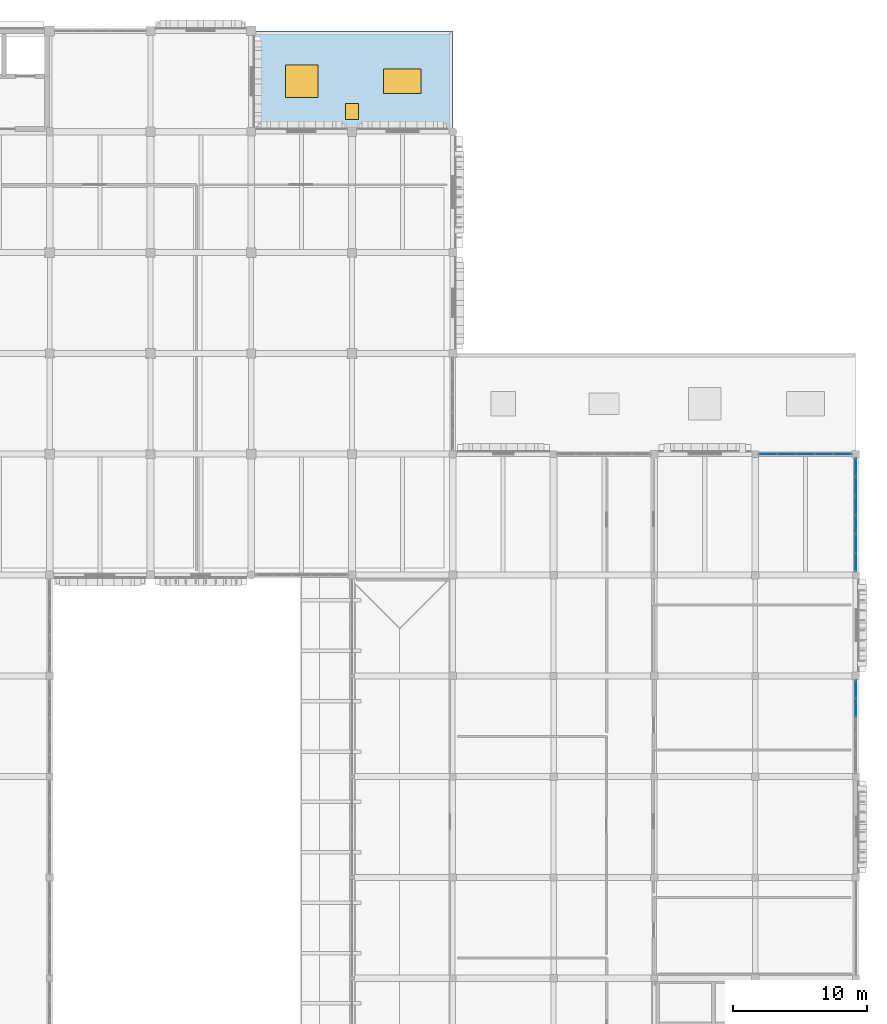
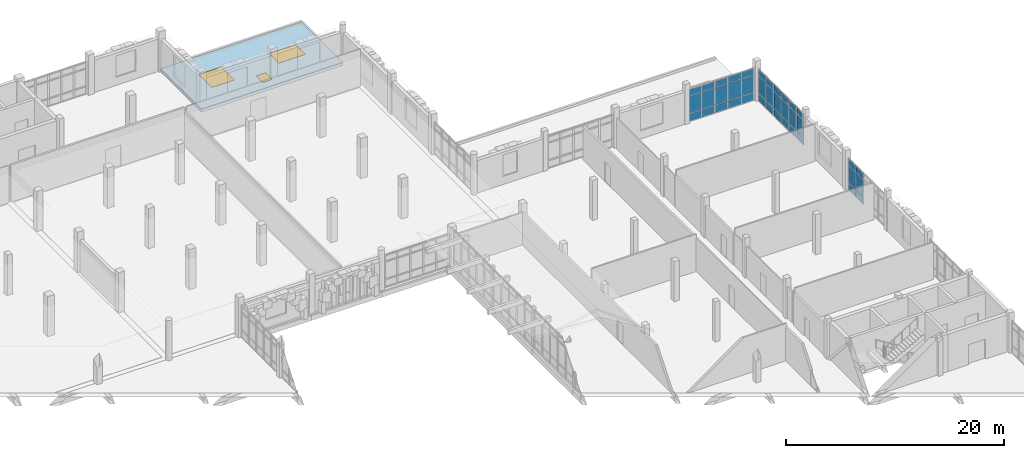
# One storey, part 91 of 128: 39 plates, 2 windows, 1 door, 1 slab, 3 openings, 3 elements without a shape of their own.
"""IFC4 building model written with IfcOpenShell, lengths in metres."""

from ifc_helpers import new_model, si_unit, direction, frame, origin, origin_2d, place, context, subcontext, project, spatial, polyline, rectangle, outline, extrude, material, layer, layer_set, type_object, element, fill, aggregate, save


model = new_model("IFC4")

# Units and contexts
model_context = context("Model", 3, precision=1e-05, world=origin(), true_north=direction((0.0, 1.0)))
body_context = subcontext(model_context, "Body", "Model", "MODEL_VIEW")
ifc_project = project(units=[si_unit("LENGTHUNIT", "METRE"), si_unit("AREAUNIT", "SQUARE_METRE"), si_unit("VOLUMEUNIT", "CUBIC_METRE"), si_unit("PLANEANGLEUNIT", "RADIAN"), si_unit("MASSUNIT", "GRAM", prefix="KILO")], contexts=[model_context])

# Site, building, storey
site_placement = place(None, origin())
site = spatial("IfcSite", under=ifc_project, at=site_placement, CompositionType="ELEMENT")
building_placement = place(site_placement, origin())
building = spatial("IfcBuilding", under=site, at=building_placement, Name="Dalvernix Boulevard General Hospital", CompositionType="ELEMENT")
storey_placement = place(building_placement, frame((0.0, 0.0, 4.800048828125)))
storey = spatial("IfcBuildingStorey", under=building, at=storey_placement, Name="L01", CompositionType="ELEMENT", Elevation=4.800048828125)

# Curtain wall, plates
ifc_material_1 = material(Name="Thermally broken aluminium and solar-control glass curtain wall", Category="aluminium")
ifc_layer_1 = layer(ifc_material_1, 0.179931640625)
ifc_layer_set_1 = layer_set([ifc_layer_1], Name="Thermally broken aluminium and solar-control glass curtain wall (CW-CW-B-70x36)")
curtain_wall_type_1 = type_object("IfcCurtainWallType", Name="CW-CW-B-70x36", PredefinedType="USERDEFINED", material=ifc_layer_set_1)
curtain_wall_1_placement = place(storey_placement, origin())
curtain_wall_1 = element("IfcCurtainWall", 1, at=curtain_wall_1_placement, inside=storey, type_object=curtain_wall_type_1, Name="L01 curtain wall CW-B-70x36 22-11", ObjectType="GLAZED FACADE", PredefinedType="USERDEFINED")
ifc_material_2 = material(Name="Double-glazed solar-control low-emissivity glass", Category="glass")
ifc_layer_2 = layer(ifc_material_2, 0.028076171875)
ifc_layer_set_2 = layer_set([ifc_layer_2], Name="Double-glazed solar-control low-emissivity glass (PLT-CW-P2)")
plate_type_1 = type_object("IfcPlateType", Name="PLT-CW-P2", PredefinedType="CURTAIN_PANEL", material=ifc_layer_set_2)
plate_1_placement = place(storey_placement, frame((165.9716796875, 85.5, 0.06494140625), z_axis=(0.0, 0.0, 1.0), x_axis=(1.0, 0.0, 0.0)))
plate_1 = element("IfcPlate", 2, at=plate_1_placement, type_object=plate_type_1, Name="CW-B-70x36 panel 1.1", PredefinedType="CURTAIN_PANEL", context=body_context, shape_type="SweptSolid", body=[
    extrude(rectangle(XDim=1.29345703125, YDim=0.028076171875, at=origin_2d()), origin(), (0.0, 0.0, 1.0), 0.802490234375),
])
plate_2_placement = place(storey_placement, frame((165.9716796875, 85.5, 0.932373046875), z_axis=(0.0, 0.0, 1.0), x_axis=(1.0, 0.0, 0.0)))
plate_2 = element("IfcPlate", 3, at=plate_2_placement, type_object=plate_type_1, Name="CW-B-70x36 panel 1.2", PredefinedType="CURTAIN_PANEL", context=body_context, shape_type="SweptSolid", body=[
    extrude(rectangle(XDim=1.29345703125, YDim=0.028076171875, at=origin_2d()), origin(), (0.0, 0.0, 1.0), 1.9150390625),
])
plate_3_placement = place(storey_placement, frame((165.9716796875, 85.5, 2.91259765625), z_axis=(0.0, 0.0, 1.0), x_axis=(1.0, 0.0, 0.0)))
plate_3 = element("IfcPlate", 4, at=plate_3_placement, type_object=plate_type_1, Name="CW-B-70x36 panel 1.3", PredefinedType="CURTAIN_PANEL", context=body_context, shape_type="SweptSolid", body=[
    extrude(rectangle(XDim=1.29345703125, YDim=0.028076171875, at=origin_2d()), origin(), (0.0, 0.0, 1.0), 0.652587890625),
])
plate_4_placement = place(storey_placement, frame((167.346435546875, 85.5, 0.06494140625), z_axis=(0.0, 0.0, 1.0), x_axis=(1.0, 0.0, 0.0)))
plate_4 = element("IfcPlate", 5, at=plate_4_placement, type_object=plate_type_1, Name="CW-B-70x36 panel 2.1", PredefinedType="CURTAIN_PANEL", context=body_context, shape_type="SweptSolid", body=[
    extrude(rectangle(XDim=1.325927734375, YDim=0.028076171875, at=origin_2d()), origin(), (0.0, 0.0, 1.0), 0.802490234375),
])
plate_5_placement = place(storey_placement, frame((167.346435546875, 85.5, 0.932373046875), z_axis=(0.0, 0.0, 1.0), x_axis=(1.0, 0.0, 0.0)))
plate_5 = element("IfcPlate", 6, at=plate_5_placement, type_object=plate_type_1, Name="CW-B-70x36 panel 2.2", PredefinedType="CURTAIN_PANEL", context=body_context, shape_type="SweptSolid", body=[
    extrude(rectangle(XDim=1.325927734375, YDim=0.028076171875, at=origin_2d()), origin(), (0.0, 0.0, 1.0), 1.9150390625),
])
plate_6_placement = place(storey_placement, frame((167.346435546875, 85.5, 2.91259765625), z_axis=(0.0, 0.0, 1.0), x_axis=(1.0, 0.0, 0.0)))
plate_6 = element("IfcPlate", 7, at=plate_6_placement, type_object=plate_type_1, Name="CW-B-70x36 panel 2.3", PredefinedType="CURTAIN_PANEL", context=body_context, shape_type="SweptSolid", body=[
    extrude(rectangle(XDim=1.325927734375, YDim=0.028076171875, at=origin_2d()), origin(), (0.0, 0.0, 1.0), 0.652587890625),
])
plate_7_placement = place(storey_placement, frame((168.737548828125, 85.5, 0.06494140625), z_axis=(0.0, 0.0, 1.0), x_axis=(1.0, 0.0, 0.0)))
plate_7 = element("IfcPlate", 8, at=plate_7_placement, type_object=plate_type_1, Name="CW-B-70x36 panel 3.1", PredefinedType="CURTAIN_PANEL", context=body_context, shape_type="SweptSolid", body=[
    extrude(rectangle(XDim=1.325927734375, YDim=0.028076171875, at=origin_2d()), origin(), (0.0, 0.0, 1.0), 0.802490234375),
])
plate_8_placement = place(storey_placement, frame((168.737548828125, 85.5, 0.932373046875), z_axis=(0.0, 0.0, 1.0), x_axis=(1.0, 0.0, 0.0)))
plate_8 = element("IfcPlate", 9, at=plate_8_placement, type_object=plate_type_1, Name="CW-B-70x36 panel 3.2", PredefinedType="CURTAIN_PANEL", context=body_context, shape_type="SweptSolid", body=[
    extrude(rectangle(XDim=1.325927734375, YDim=0.028076171875, at=origin_2d()), origin(), (0.0, 0.0, 1.0), 1.9150390625),
])
plate_9_placement = place(storey_placement, frame((168.737548828125, 85.5, 2.91259765625), z_axis=(0.0, 0.0, 1.0), x_axis=(1.0, 0.0, 0.0)))
plate_9 = element("IfcPlate", 10, at=plate_9_placement, type_object=plate_type_1, Name="CW-B-70x36 panel 3.3", PredefinedType="CURTAIN_PANEL", context=body_context, shape_type="SweptSolid", body=[
    extrude(rectangle(XDim=1.325927734375, YDim=0.028076171875, at=origin_2d()), origin(), (0.0, 0.0, 1.0), 0.652587890625),
])
plate_10_placement = place(storey_placement, frame((170.12841796875, 85.5, 0.06494140625), z_axis=(0.0, 0.0, 1.0), x_axis=(1.0, 0.0, 0.0)))
plate_10 = element("IfcPlate", 11, at=plate_10_placement, type_object=plate_type_1, Name="CW-B-70x36 panel 4.1", PredefinedType="CURTAIN_PANEL", context=body_context, shape_type="SweptSolid", body=[
    extrude(rectangle(XDim=1.325927734375, YDim=0.028076171875, at=origin_2d()), origin(), (0.0, 0.0, 1.0), 0.802490234375),
])
plate_11_placement = place(storey_placement, frame((170.12841796875, 85.5, 0.932373046875), z_axis=(0.0, 0.0, 1.0), x_axis=(1.0, 0.0, 0.0)))
plate_11 = element("IfcPlate", 12, at=plate_11_placement, type_object=plate_type_1, Name="CW-B-70x36 panel 4.2", PredefinedType="CURTAIN_PANEL", context=body_context, shape_type="SweptSolid", body=[
    extrude(rectangle(XDim=1.325927734375, YDim=0.028076171875, at=origin_2d()), origin(), (0.0, 0.0, 1.0), 1.9150390625),
])
plate_12_placement = place(storey_placement, frame((170.12841796875, 85.5, 2.91259765625), z_axis=(0.0, 0.0, 1.0), x_axis=(1.0, 0.0, 0.0)))
plate_12 = element("IfcPlate", 13, at=plate_12_placement, type_object=plate_type_1, Name="CW-B-70x36 panel 4.3", PredefinedType="CURTAIN_PANEL", context=body_context, shape_type="SweptSolid", body=[
    extrude(rectangle(XDim=1.325927734375, YDim=0.028076171875, at=origin_2d()), origin(), (0.0, 0.0, 1.0), 0.652587890625),
])
plate_13_placement = place(storey_placement, frame((171.503173828125, 85.5, 0.06494140625), z_axis=(0.0, 0.0, 1.0), x_axis=(1.0, 0.0, 0.0)))
plate_13 = element("IfcPlate", 14, at=plate_13_placement, type_object=plate_type_1, Name="CW-B-70x36 panel 5.1", PredefinedType="CURTAIN_PANEL", context=body_context, shape_type="SweptSolid", body=[
    extrude(rectangle(XDim=1.29345703125, YDim=0.028076171875, at=origin_2d()), origin(), (0.0, 0.0, 1.0), 0.802490234375),
])
plate_14_placement = place(storey_placement, frame((171.503173828125, 85.5, 0.932373046875), z_axis=(0.0, 0.0, 1.0), x_axis=(1.0, 0.0, 0.0)))
plate_14 = element("IfcPlate", 15, at=plate_14_placement, type_object=plate_type_1, Name="CW-B-70x36 panel 5.2", PredefinedType="CURTAIN_PANEL", context=body_context, shape_type="SweptSolid", body=[
    extrude(rectangle(XDim=1.29345703125, YDim=0.028076171875, at=origin_2d()), origin(), (0.0, 0.0, 1.0), 1.9150390625),
])
plate_15_placement = place(storey_placement, frame((171.503173828125, 85.5, 2.91259765625), z_axis=(0.0, 0.0, 1.0), x_axis=(1.0, 0.0, 0.0)))
plate_15 = element("IfcPlate", 16, at=plate_15_placement, type_object=plate_type_1, Name="CW-B-70x36 panel 5.3", PredefinedType="CURTAIN_PANEL", context=body_context, shape_type="SweptSolid", body=[
    extrude(rectangle(XDim=1.29345703125, YDim=0.028076171875, at=origin_2d()), origin(), (0.0, 0.0, 1.0), 0.652587890625),
])
aggregate(curtain_wall_1, [plate_1, plate_2, plate_3, plate_4, plate_5, plate_6, plate_7, plate_8, plate_9, plate_10, plate_11, plate_12, plate_13, plate_14, plate_15])

ifc_layer_3 = layer(ifc_material_1, 0.179931640625)
ifc_layer_set_3 = layer_set([ifc_layer_3], Name="Thermally broken aluminium and solar-control glass curtain wall (CW-CW-B-85x36)")
curtain_wall_type_2 = type_object("IfcCurtainWallType", Name="CW-CW-B-85x36", PredefinedType="USERDEFINED", material=ifc_layer_set_3)
curtain_wall_2_placement = place(storey_placement, origin())
curtain_wall_2 = element("IfcCurtainWall", 17, at=curtain_wall_2_placement, inside=storey, type_object=curtain_wall_type_2, Name="L01 curtain wall CW-B-85x36 23-10", ObjectType="GLAZED FACADE", PredefinedType="USERDEFINED")
plate_16_placement = place(storey_placement, frame((172.5, 84.494140625, 0.06494140625), z_axis=(0.0, 0.0, 1.0), x_axis=(0.0, -1.0, 0.0)))
plate_16 = element("IfcPlate", 18, at=plate_16_placement, type_object=plate_type_1, Name="CW-B-85x36 panel 1.1", PredefinedType="CURTAIN_PANEL", context=body_context, shape_type="SweptSolid", body=[
    extrude(rectangle(XDim=1.311767578125, YDim=0.028076171875, at=origin_2d()), origin(), (0.0, 0.0, 1.0), 0.802490234375),
])
plate_17_placement = place(storey_placement, frame((172.5, 84.494140625, 0.932373046875), z_axis=(0.0, 0.0, 1.0), x_axis=(0.0, -1.0, 0.0)))
plate_17 = element("IfcPlate", 19, at=plate_17_placement, type_object=plate_type_1, Name="CW-B-85x36 panel 1.2", PredefinedType="CURTAIN_PANEL", context=body_context, shape_type="SweptSolid", body=[
    extrude(rectangle(XDim=1.311767578125, YDim=0.028076171875, at=origin_2d()), origin(), (0.0, 0.0, 1.0), 1.9150390625),
])
plate_18_placement = place(storey_placement, frame((172.5, 84.494140625, 2.91259765625), z_axis=(0.0, 0.0, 1.0), x_axis=(0.0, -1.0, 0.0)))
plate_18 = element("IfcPlate", 20, at=plate_18_placement, type_object=plate_type_1, Name="CW-B-85x36 panel 1.3", PredefinedType="CURTAIN_PANEL", context=body_context, shape_type="SweptSolid", body=[
    extrude(rectangle(XDim=1.311767578125, YDim=0.028076171875, at=origin_2d()), origin(), (0.0, 0.0, 1.0), 0.652587890625),
])
plate_19_placement = place(storey_placement, frame((172.5, 83.101318359375, 0.06494140625), z_axis=(0.0, 0.0, 1.0), x_axis=(0.0, -1.0, 0.0)))
plate_19 = element("IfcPlate", 21, at=plate_19_placement, type_object=plate_type_1, Name="CW-B-85x36 panel 2.1", PredefinedType="CURTAIN_PANEL", context=body_context, shape_type="SweptSolid", body=[
    extrude(rectangle(XDim=1.34423828125, YDim=0.028076171875, at=origin_2d()), origin(), (0.0, 0.0, 1.0), 0.802490234375),
])
plate_20_placement = place(storey_placement, frame((172.5, 83.101318359375, 0.932373046875), z_axis=(0.0, 0.0, 1.0), x_axis=(0.0, -1.0, 0.0)))
plate_20 = element("IfcPlate", 22, at=plate_20_placement, type_object=plate_type_1, Name="CW-B-85x36 panel 2.2", PredefinedType="CURTAIN_PANEL", context=body_context, shape_type="SweptSolid", body=[
    extrude(rectangle(XDim=1.34423828125, YDim=0.028076171875, at=origin_2d()), origin(), (0.0, 0.0, 1.0), 1.9150390625),
])
plate_21_placement = place(storey_placement, frame((172.5, 83.101318359375, 2.91259765625), z_axis=(0.0, 0.0, 1.0), x_axis=(0.0, -1.0, 0.0)))
plate_21 = element("IfcPlate", 23, at=plate_21_placement, type_object=plate_type_1, Name="CW-B-85x36 panel 2.3", PredefinedType="CURTAIN_PANEL", context=body_context, shape_type="SweptSolid", body=[
    extrude(rectangle(XDim=1.34423828125, YDim=0.028076171875, at=origin_2d()), origin(), (0.0, 0.0, 1.0), 0.652587890625),
])
plate_22_placement = place(storey_placement, frame((172.5, 81.692138671875, 0.06494140625), z_axis=(0.0, 0.0, 1.0), x_axis=(0.0, -1.0, 0.0)))
plate_22 = element("IfcPlate", 24, at=plate_22_placement, type_object=plate_type_1, Name="CW-B-85x36 panel 3.1", PredefinedType="CURTAIN_PANEL", context=body_context, shape_type="SweptSolid", body=[
    extrude(rectangle(XDim=1.34423828125, YDim=0.028076171875, at=origin_2d()), origin(), (0.0, 0.0, 1.0), 0.802490234375),
])
plate_23_placement = place(storey_placement, frame((172.5, 81.692138671875, 0.932373046875), z_axis=(0.0, 0.0, 1.0), x_axis=(0.0, -1.0, 0.0)))
plate_23 = element("IfcPlate", 25, at=plate_23_placement, type_object=plate_type_1, Name="CW-B-85x36 panel 3.2", PredefinedType="CURTAIN_PANEL", context=body_context, shape_type="SweptSolid", body=[
    extrude(rectangle(XDim=1.34423828125, YDim=0.028076171875, at=origin_2d()), origin(), (0.0, 0.0, 1.0), 1.9150390625),
])
plate_24_placement = place(storey_placement, frame((172.5, 81.692138671875, 2.91259765625), z_axis=(0.0, 0.0, 1.0), x_axis=(0.0, -1.0, 0.0)))
plate_24 = element("IfcPlate", 26, at=plate_24_placement, type_object=plate_type_1, Name="CW-B-85x36 panel 3.3", PredefinedType="CURTAIN_PANEL", context=body_context, shape_type="SweptSolid", body=[
    extrude(rectangle(XDim=1.34423828125, YDim=0.028076171875, at=origin_2d()), origin(), (0.0, 0.0, 1.0), 0.652587890625),
])
plate_25_placement = place(storey_placement, frame((172.5, 80.282958984375, 0.06494140625), z_axis=(0.0, 0.0, 1.0), x_axis=(0.0, -1.0, 0.0)))
plate_25 = element("IfcPlate", 27, at=plate_25_placement, type_object=plate_type_1, Name="CW-B-85x36 panel 4.1", PredefinedType="CURTAIN_PANEL", context=body_context, shape_type="SweptSolid", body=[
    extrude(rectangle(XDim=1.34423828125, YDim=0.028076171875, at=origin_2d()), origin(), (0.0, 0.0, 1.0), 0.802490234375),
])
plate_26_placement = place(storey_placement, frame((172.5, 80.282958984375, 0.932373046875), z_axis=(0.0, 0.0, 1.0), x_axis=(0.0, -1.0, 0.0)))
plate_26 = element("IfcPlate", 28, at=plate_26_placement, type_object=plate_type_1, Name="CW-B-85x36 panel 4.2", PredefinedType="CURTAIN_PANEL", context=body_context, shape_type="SweptSolid", body=[
    extrude(rectangle(XDim=1.34423828125, YDim=0.028076171875, at=origin_2d()), origin(), (0.0, 0.0, 1.0), 1.9150390625),
])
plate_27_placement = place(storey_placement, frame((172.5, 80.282958984375, 2.91259765625), z_axis=(0.0, 0.0, 1.0), x_axis=(0.0, -1.0, 0.0)))
plate_27 = element("IfcPlate", 29, at=plate_27_placement, type_object=plate_type_1, Name="CW-B-85x36 panel 4.3", PredefinedType="CURTAIN_PANEL", context=body_context, shape_type="SweptSolid", body=[
    extrude(rectangle(XDim=1.34423828125, YDim=0.028076171875, at=origin_2d()), origin(), (0.0, 0.0, 1.0), 0.652587890625),
])
plate_28_placement = place(storey_placement, frame((172.5, 78.873779296875, 0.06494140625), z_axis=(0.0, 0.0, 1.0), x_axis=(0.0, -1.0, 0.0)))
plate_28 = element("IfcPlate", 30, at=plate_28_placement, type_object=plate_type_1, Name="CW-B-85x36 panel 5.1", PredefinedType="CURTAIN_PANEL", context=body_context, shape_type="SweptSolid", body=[
    extrude(rectangle(XDim=1.34423828125, YDim=0.028076171875, at=origin_2d()), origin(), (0.0, 0.0, 1.0), 0.802490234375),
])
plate_29_placement = place(storey_placement, frame((172.5, 78.873779296875, 0.932373046875), z_axis=(0.0, 0.0, 1.0), x_axis=(0.0, -1.0, 0.0)))
plate_29 = element("IfcPlate", 31, at=plate_29_placement, type_object=plate_type_1, Name="CW-B-85x36 panel 5.2", PredefinedType="CURTAIN_PANEL", context=body_context, shape_type="SweptSolid", body=[
    extrude(rectangle(XDim=1.34423828125, YDim=0.028076171875, at=origin_2d()), origin(), (0.0, 0.0, 1.0), 1.9150390625),
])
plate_30_placement = place(storey_placement, frame((172.5, 78.873779296875, 2.91259765625), z_axis=(0.0, 0.0, 1.0), x_axis=(0.0, -1.0, 0.0)))
plate_30 = element("IfcPlate", 32, at=plate_30_placement, type_object=plate_type_1, Name="CW-B-85x36 panel 5.3", PredefinedType="CURTAIN_PANEL", context=body_context, shape_type="SweptSolid", body=[
    extrude(rectangle(XDim=1.34423828125, YDim=0.028076171875, at=origin_2d()), origin(), (0.0, 0.0, 1.0), 0.652587890625),
])
plate_31_placement = place(storey_placement, frame((172.5, 77.480712890625, 0.06494140625), z_axis=(0.0, 0.0, 1.0), x_axis=(0.0, -1.0, 0.0)))
plate_31 = element("IfcPlate", 33, at=plate_31_placement, type_object=plate_type_1, Name="CW-B-85x36 panel 6.1", PredefinedType="CURTAIN_PANEL", context=body_context, shape_type="SweptSolid", body=[
    extrude(rectangle(XDim=1.311767578125, YDim=0.028076171875, at=origin_2d()), origin(), (0.0, 0.0, 1.0), 0.802490234375),
])
plate_32_placement = place(storey_placement, frame((172.5, 77.480712890625, 0.932373046875), z_axis=(0.0, 0.0, 1.0), x_axis=(0.0, -1.0, 0.0)))
plate_32 = element("IfcPlate", 34, at=plate_32_placement, type_object=plate_type_1, Name="CW-B-85x36 panel 6.2", PredefinedType="CURTAIN_PANEL", context=body_context, shape_type="SweptSolid", body=[
    extrude(rectangle(XDim=1.311767578125, YDim=0.028076171875, at=origin_2d()), origin(), (0.0, 0.0, 1.0), 1.9150390625),
])
plate_33_placement = place(storey_placement, frame((172.5, 77.480712890625, 2.91259765625), z_axis=(0.0, 0.0, 1.0), x_axis=(0.0, -1.0, 0.0)))
plate_33 = element("IfcPlate", 35, at=plate_33_placement, type_object=plate_type_1, Name="CW-B-85x36 panel 6.3", PredefinedType="CURTAIN_PANEL", context=body_context, shape_type="SweptSolid", body=[
    extrude(rectangle(XDim=1.311767578125, YDim=0.028076171875, at=origin_2d()), origin(), (0.0, 0.0, 1.0), 0.652587890625),
])
aggregate(curtain_wall_2, [plate_16, plate_17, plate_18, plate_19, plate_20, plate_21, plate_22, plate_23, plate_24, plate_25, plate_26, plate_27, plate_28, plate_29, plate_30, plate_31, plate_32, plate_33])

ifc_layer_4 = layer(ifc_material_1, 0.199951171875)
ifc_layer_set_4 = layer_set([ifc_layer_4], Name="Thermally broken aluminium and solar-control glass curtain wall (CW-CW-C-70x36)")
curtain_wall_type_3 = type_object("IfcCurtainWallType", Name="CW-CW-C-70x36", PredefinedType="USERDEFINED", material=ifc_layer_set_4)
curtain_wall_3_placement = place(storey_placement, origin())
curtain_wall_3 = element("IfcCurtainWall", 36, at=curtain_wall_3_placement, inside=storey, type_object=curtain_wall_type_3, Name="L01 curtain wall CW-C-70x36 23-8", ObjectType="GLAZED FACADE", PredefinedType="USERDEFINED")
ifc_layer_5 = layer(ifc_material_2, 0.035888671875)
ifc_layer_set_5 = layer_set([ifc_layer_5], Name="Double-glazed solar-control low-emissivity glass (PLT-CW-P3)")
plate_type_2 = type_object("IfcPlateType", Name="PLT-CW-P3", PredefinedType="CURTAIN_PANEL", material=ifc_layer_set_5)
plate_34_placement = place(storey_placement, frame((172.5, 68.001953125, 0.070068359375), z_axis=(0.0, 0.0, 1.0), x_axis=(0.0, -1.0, 0.0)))
plate_34 = element("IfcPlate", 37, at=plate_34_placement, type_object=plate_type_2, Name="CW-C-70x36 panel 1.1", PredefinedType="CURTAIN_PANEL", context=body_context, shape_type="SweptSolid", body=[
    extrude(rectangle(XDim=1.285888671875, YDim=0.035888671875, at=origin_2d()), origin(), (0.0, 0.0, 1.0), 0.794921875),
])
plate_35_placement = place(storey_placement, frame((172.5, 68.001953125, 0.93505859375), z_axis=(0.0, 0.0, 1.0), x_axis=(0.0, -1.0, 0.0)))
plate_35 = element("IfcPlate", 38, at=plate_35_placement, type_object=plate_type_2, Name="CW-C-70x36 panel 1.2", PredefinedType="CURTAIN_PANEL", context=body_context, shape_type="SweptSolid", body=[
    extrude(rectangle(XDim=1.285888671875, YDim=0.035888671875, at=origin_2d()), origin(), (0.0, 0.0, 1.0), 1.909912109375),
])
plate_36_placement = place(storey_placement, frame((172.5, 68.001953125, 2.9150390625), z_axis=(0.0, 0.0, 1.0), x_axis=(0.0, -1.0, 0.0)))
plate_36 = element("IfcPlate", 39, at=plate_36_placement, type_object=plate_type_2, Name="CW-C-70x36 panel 1.3", PredefinedType="CURTAIN_PANEL", context=body_context, shape_type="SweptSolid", body=[
    extrude(rectangle(XDim=1.285888671875, YDim=0.035888671875, at=origin_2d()), origin(), (0.0, 0.0, 1.0), 0.64501953125),
])
plate_37_placement = place(storey_placement, frame((172.5, 66.62841796875, 0.070068359375), z_axis=(0.0, 0.0, 1.0), x_axis=(0.0, -1.0, 0.0)))
plate_37 = element("IfcPlate", 40, at=plate_37_placement, type_object=plate_type_2, Name="CW-C-70x36 panel 2.1", PredefinedType="CURTAIN_PANEL", context=body_context, shape_type="SweptSolid", body=[
    extrude(rectangle(XDim=1.321044921875, YDim=0.035888671875, at=origin_2d()), origin(), (0.0, 0.0, 1.0), 0.794921875),
])
plate_38_placement = place(storey_placement, frame((172.5, 66.62841796875, 0.93505859375), z_axis=(0.0, 0.0, 1.0), x_axis=(0.0, -1.0, 0.0)))
plate_38 = element("IfcPlate", 41, at=plate_38_placement, type_object=plate_type_2, Name="CW-C-70x36 panel 2.2", PredefinedType="CURTAIN_PANEL", context=body_context, shape_type="SweptSolid", body=[
    extrude(rectangle(XDim=1.321044921875, YDim=0.035888671875, at=origin_2d()), origin(), (0.0, 0.0, 1.0), 1.909912109375),
])
plate_39_placement = place(storey_placement, frame((172.5, 66.62841796875, 2.9150390625), z_axis=(0.0, 0.0, 1.0), x_axis=(0.0, -1.0, 0.0)))
plate_39 = element("IfcPlate", 42, at=plate_39_placement, type_object=plate_type_2, Name="CW-C-70x36 panel 2.3", PredefinedType="CURTAIN_PANEL", context=body_context, shape_type="SweptSolid", body=[
    extrude(rectangle(XDim=1.321044921875, YDim=0.035888671875, at=origin_2d()), origin(), (0.0, 0.0, 1.0), 0.64501953125),
])
aggregate(curtain_wall_3, [plate_34, plate_35, plate_36, plate_37, plate_38, plate_39])

# Slab, openings, door, windows
ifc_material_3 = material(Name="Concrete C35/45", Category="concrete")
ifc_layer_6 = layer(ifc_material_3, 0.219970703125)
ifc_layer_set_6 = layer_set([ifc_layer_6], Name="Concrete C35/45 (SLB-RS-01)")
slab_type = type_object("IfcSlabType", Name="SLB-RS-01", PredefinedType="ROOF", material=ifc_layer_set_6)
slab_placement = place(storey_placement, frame((0.0, 0.0, -0.280029296875)))
slab = element("IfcSlab", 43, at=slab_placement, inside=storey, type_object=slab_type, Name="L01 clinical skylight roof slab V3NE", PredefinedType="ROOF", context=body_context, shape_type="SweptSolid", body=[
    extrude(outline(polyline([(127.5, 109.5), (142.5, 109.5), (142.5, 117.0), (127.5, 117.0), (127.5, 109.5)]), holes=[polyline([(130.050048828125, 112.050048828125), (132.449951171875, 112.050048828125), (132.449951171875, 114.449951171875), (130.050048828125, 114.449951171875), (130.050048828125, 112.050048828125)]), polyline([(137.35009765625, 112.35009765625), (140.14990234375, 112.35009765625), (140.14990234375, 114.14990234375), (137.35009765625, 114.14990234375), (137.35009765625, 112.35009765625)]), polyline([(134.5, 110.39990234375), (135.5, 110.39990234375), (135.5, 111.60009765625), (134.5, 111.60009765625), (134.5, 110.39990234375)])]), origin(), (0.0, 0.0, 1.0), 0.35986328125),
])
opening_1_placement = place(slab_placement, frame((131.25, 113.25, 0.0)))
opening_1 = element("IfcOpeningElement", 44, at=opening_1_placement, cuts=slab, Name="Opening SK-03", PredefinedType="OPENING", context=body_context, shape_type="SweptSolid", body=[
    extrude(rectangle(XDim=2.39990234375, YDim=2.39990234375, at=origin_2d()), origin(), (0.0, 0.0, 1.0), 0.35986328125),
])
opening_2_placement = place(slab_placement, frame((138.75, 113.25, 0.0)))
opening_2 = element("IfcOpeningElement", 45, at=opening_2_placement, cuts=slab, Name="Opening SK-04", PredefinedType="OPENING", context=body_context, shape_type="SweptSolid", body=[
    extrude(rectangle(XDim=2.800048828125, YDim=1.800048828125, at=origin_2d()), origin(), (0.0, 0.0, 1.0), 0.35986328125),
])
opening_3_placement = place(slab_placement, frame((135.0, 111.0, 0.0)))
opening_3 = element("IfcOpeningElement", 46, at=opening_3_placement, cuts=slab, Name="Opening RH-01", PredefinedType="OPENING", context=body_context, shape_type="SweptSolid", body=[
    extrude(rectangle(XDim=1.0, YDim=1.199951171875, at=origin_2d()), origin(), (0.0, 0.0, 1.0), 0.35986328125),
])
ifc_material_4 = material(Name="Galvanized painted steel", Category="steel")
door_type = type_object("IfcDoorType", Name="DR-RH-01", OperationType="SINGLE_SWING_LEFT", PredefinedType="TRAPDOOR", material=ifc_material_4)
door_placement = place(opening_3_placement, frame((0.0, 0.0, 0.309814453125)))
door = element("IfcDoor", 47, at=door_placement, inside=storey, type_object=door_type, Name="L01 roof access trapdoor V3NE-3", OperationType="SINGLE_SWING_LEFT", OverallHeight=1.199951171875, OverallWidth=1.0, PredefinedType="TRAPDOOR", context=body_context, shape_type="SweptSolid", body=[
    extrude(rectangle(XDim=1.0, YDim=1.199951171875, at=origin_2d()), origin(), (0.0, 0.0, 1.0), 0.050048828125),
])
fill(opening_3, door)
ifc_material_5 = material(Name="Thermally broken aluminium frame with solar-control double glazing", Category="aluminium")
window_type_1 = type_object("IfcWindowType", Name="WIN-SK-03", PartitioningType="SINGLE_PANEL", PredefinedType="SKYLIGHT", material=ifc_material_5)
window_1_placement = place(opening_1_placement, frame((0.0, 0.0, 0.309814453125)))
window_1 = element("IfcWindow", 48, at=window_1_placement, inside=storey, type_object=window_type_1, Name="L01 clinical daylight skylight V3NE-1", OverallHeight=2.39990234375, OverallWidth=2.39990234375, PartitioningType="SINGLE_PANEL", PredefinedType="SKYLIGHT", context=body_context, shape_type="SweptSolid", body=[
    extrude(rectangle(XDim=2.39990234375, YDim=2.39990234375, at=origin_2d()), origin(), (0.0, 0.0, 1.0), 0.050048828125),
])
fill(opening_1, window_1)
window_type_2 = type_object("IfcWindowType", Name="WIN-SK-04", PartitioningType="SINGLE_PANEL", PredefinedType="SKYLIGHT", material=ifc_material_5)
window_2_placement = place(opening_2_placement, frame((0.0, 0.0, 0.309814453125)))
window_2 = element("IfcWindow", 49, at=window_2_placement, inside=storey, type_object=window_type_2, Name="L01 clinical daylight skylight V3NE-2", OverallHeight=1.800048828125, OverallWidth=2.800048828125, PartitioningType="SINGLE_PANEL", PredefinedType="SKYLIGHT", context=body_context, shape_type="SweptSolid", body=[
    extrude(rectangle(XDim=2.800048828125, YDim=1.800048828125, at=origin_2d()), origin(), (0.0, 0.0, 1.0), 0.050048828125),
])
fill(opening_2, window_2)

save(model, "model.ifc")
